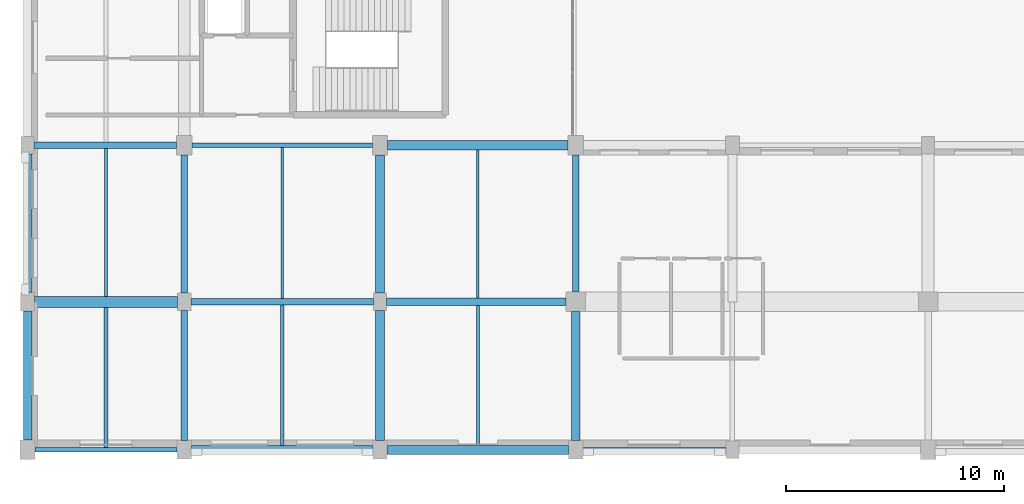
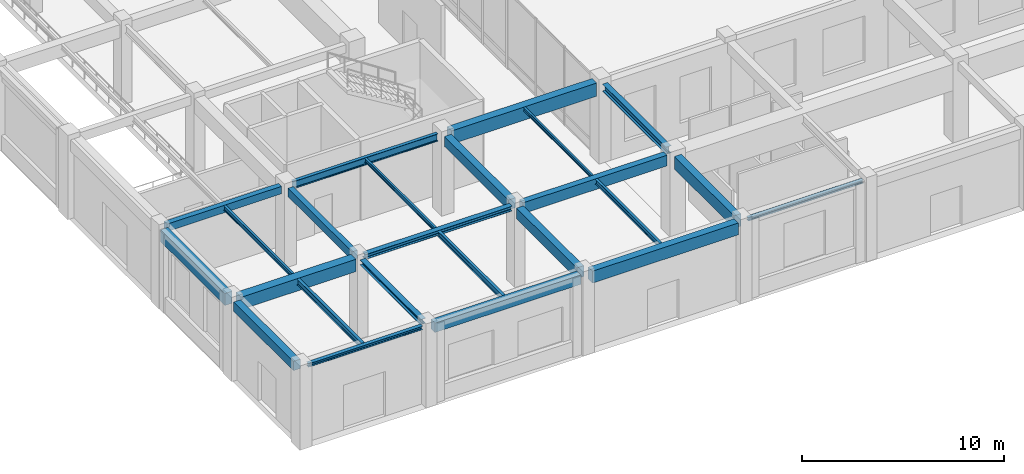
# One storey, part 7 of 64: 24 beams.
"""IFC4 building model written with IfcOpenShell, lengths in metres."""

from ifc_helpers import new_model, si_unit, direction, frame, origin, origin_2d, place, context, subcontext, project, spatial, rectangle, i_section, extrude, material, material_profile, profile_set, type_object, element, save


model = new_model("IFC4")

# Units and contexts
model_context = context("Model", 3, precision=1e-05, world=origin(), true_north=direction((0.0, 1.0)))
body_context = subcontext(model_context, "Body", "Model", "MODEL_VIEW")
ifc_project = project(units=[si_unit("LENGTHUNIT", "METRE"), si_unit("AREAUNIT", "SQUARE_METRE"), si_unit("VOLUMEUNIT", "CUBIC_METRE"), si_unit("PLANEANGLEUNIT", "RADIAN"), si_unit("MASSUNIT", "GRAM", prefix="KILO")], contexts=[model_context])

# Site, building, storey
site_placement = place(None, origin())
site = spatial("IfcSite", under=ifc_project, at=site_placement, CompositionType="ELEMENT")
building_placement = place(site_placement, origin())
building = spatial("IfcBuilding", under=site, at=building_placement, Name="Clarverna Civic Hall", CompositionType="ELEMENT")
storey_placement = place(building_placement, origin())
storey = spatial("IfcBuildingStorey", under=building, at=storey_placement, Name="L00", CompositionType="ELEMENT", Elevation=0.0)

# Beams
ifc_material_1 = material(Name="Steel S355", Category="steel")
ifc_material_profile_1 = material_profile(ifc_material_1, i_section(OverallWidth=0.219970703125, OverallDepth=0.2099609375, WebThickness=0.007080078125, FlangeThickness=0.010986328125, FilletRadius=0.01806640625, at=origin_2d()), Name="HEA 220")
ifc_profile_set_1 = profile_set([ifc_material_profile_1], Name="Steel S355")
beam_type_1 = type_object("IfcBeamType", Name="B-LN1", PredefinedType="LINTEL", material=ifc_profile_set_1)
beam_1_placement = place(storey_placement, frame((0.35009765625, 0.0, 4.675048828125), z_axis=(1.0, 0.0, 0.0), x_axis=(0.0, 1.0, 0.0)))
element("IfcBeam", 1, at=beam_1_placement, inside=storey, type_object=beam_type_1, Name="B-LN1-001", PredefinedType="LINTEL", context=body_context, shape_type="SweptSolid", body=[
    extrude(i_section(OverallWidth=0.219970703125, OverallDepth=0.2099609375, WebThickness=0.007080078125, FlangeThickness=0.010986328125, FilletRadius=0.01806640625, at=origin_2d()), origin(), (0.0, 0.0, 1.0), 6.52490234375),
])
ifc_material_profile_2 = material_profile(ifc_material_1, i_section(OverallWidth=0.199951171875, OverallDepth=0.18994140625, WebThickness=0.006591796875, FlangeThickness=0.010009765625, FilletRadius=0.01806640625, at=origin_2d()), Name="HEA 200")
ifc_profile_set_2 = profile_set([ifc_material_profile_2], Name="Steel S355")
beam_type_2 = type_object("IfcBeamType", Name="B-LN2", PredefinedType="LINTEL", material=ifc_profile_set_2)
beam_2_placement = place(storey_placement, frame((25.52490234375, 0.0, 4.68505859375), z_axis=(1.0, 0.0, 0.0), x_axis=(0.0, 1.0, 0.0)))
element("IfcBeam", 2, at=beam_2_placement, inside=storey, type_object=beam_type_2, Name="B-LN2-001", PredefinedType="LINTEL", context=body_context, shape_type="SweptSolid", body=[
    extrude(i_section(OverallWidth=0.199951171875, OverallDepth=0.18994140625, WebThickness=0.006591796875, FlangeThickness=0.010009765625, FilletRadius=0.01806640625, at=origin_2d()), origin(), (0.0, 0.0, 1.0), 6.5751953125),
])
ifc_material_2 = material(Name="Concrete C35/45", Category="concrete")
ifc_material_profile_3 = material_profile(ifc_material_2, rectangle(XDim=0.300048828125, YDim=0.5, at=origin_2d()), Name="RC 300x500")
ifc_profile_set_3 = profile_set([ifc_material_profile_3], Name="Concrete C35/45")
beam_type_3 = type_object("IfcBeamType", Name="B-RC12", PredefinedType="BEAM", material=ifc_profile_set_3)
beam_3_placement = place(storey_placement, frame((7.199951171875, 7.199951171875, 4.530029296875), z_axis=(0.0, 1.0, 0.0), x_axis=(-1.0, 0.0, 0.0)))
element("IfcBeam", 3, at=beam_3_placement, inside=storey, type_object=beam_type_3, Name="B-RC12-024", PredefinedType="BEAM", context=body_context, shape_type="SweptSolid", body=[
    extrude(rectangle(XDim=0.300048828125, YDim=0.5, at=origin_2d()), origin(), (0.0, 0.0, 1.0), 6.35009765625),
])
ifc_material_profile_4 = material_profile(ifc_material_2, rectangle(XDim=0.5, YDim=0.75, at=origin_2d()), Name="RC 500x750")
ifc_profile_set_4 = profile_set([ifc_material_profile_4], Name="Concrete C35/45")
beam_type_4 = type_object("IfcBeamType", Name="B-RC15", PredefinedType="BEAM", material=ifc_profile_set_4)
beam_4_placement = place(storey_placement, frame((0.324951171875, 6.800048828125, 4.405029296875), z_axis=(1.0, 0.0, 0.0), x_axis=(0.0, 1.0, 0.0)))
element("IfcBeam", 4, at=beam_4_placement, inside=storey, type_object=beam_type_4, Name="B-RC15-017", PredefinedType="BEAM", context=body_context, shape_type="SweptSolid", body=[
    extrude(rectangle(XDim=0.5, YDim=0.75, at=origin_2d()), origin(), (0.0, 0.0, 1.0), 6.574951171875),
])
ifc_material_profile_5 = material_profile(ifc_material_2, rectangle(XDim=0.39990234375, YDim=0.75, at=origin_2d()), Name="RC 400x750")
ifc_profile_set_5 = profile_set([ifc_material_profile_5], Name="Concrete C35/45")
beam_type_5 = type_object("IfcBeamType", Name="B-RC16", PredefinedType="BEAM", material=ifc_profile_set_5)
beam_5_placement = place(storey_placement, frame((25.199951171875, 0.425048828125, 4.405029296875), z_axis=(0.0, 1.0, 0.0), x_axis=(-1.0, 0.0, 0.0)))
element("IfcBeam", 5, at=beam_5_placement, inside=storey, type_object=beam_type_5, Name="B-RC16-018", PredefinedType="BEAM", context=body_context, shape_type="SweptSolid", body=[
    extrude(rectangle(XDim=0.39990234375, YDim=0.75, at=origin_2d()), origin(), (0.0, 0.0, 1.0), 5.925048828125),
])
ifc_material_profile_6 = material_profile(ifc_material_2, rectangle(XDim=0.35009765625, YDim=0.64990234375, at=origin_2d()), Name="RC 350x650")
ifc_profile_set_6 = profile_set([ifc_material_profile_6], Name="Concrete C35/45")
beam_type_6 = type_object("IfcBeamType", Name="B-RC17", PredefinedType="BEAM", material=ifc_profile_set_6)
beam_6_placement = place(storey_placement, frame((16.5, 6.800048828125, 4.455078125), z_axis=(1.0, 0.0, 0.0), x_axis=(0.0, 1.0, 0.0)))
element("IfcBeam", 6, at=beam_6_placement, inside=storey, type_object=beam_type_6, Name="B-RC17-017", PredefinedType="BEAM", context=body_context, shape_type="SweptSolid", body=[
    extrude(rectangle(XDim=0.35009765625, YDim=0.64990234375, at=origin_2d()), origin(), (0.0, 0.0, 1.0), 8.25),
])
ifc_material_profile_7 = material_profile(ifc_material_2, rectangle(XDim=0.300048828125, YDim=0.449951171875, at=origin_2d()), Name="RC 300x450")
ifc_profile_set_7 = profile_set([ifc_material_profile_7], Name="Concrete C35/45")
beam_type_7 = type_object("IfcBeamType", Name="B-RC18", PredefinedType="BEAM", material=ifc_profile_set_7)
beam_7_placement = place(storey_placement, frame((0.300048828125, 14.0, 4.554931640625), z_axis=(1.0, 0.0, 0.0), x_axis=(0.0, 1.0, 0.0)))
element("IfcBeam", 7, at=beam_7_placement, inside=storey, type_object=beam_type_7, Name="B-RC18-013", PredefinedType="BEAM", context=body_context, shape_type="SweptSolid", body=[
    extrude(rectangle(XDim=0.300048828125, YDim=0.449951171875, at=origin_2d()), origin(), (0.0, 0.0, 1.0), 6.550048828125),
])
ifc_material_profile_8 = material_profile(ifc_material_2, rectangle(XDim=0.449951171875, YDim=0.800048828125, at=origin_2d()), Name="RC 450x800")
ifc_profile_set_8 = profile_set([ifc_material_profile_8], Name="Concrete C35/45")
beam_type_8 = type_object("IfcBeamType", Name="B-RC2", PredefinedType="BEAM", material=ifc_profile_set_8)
beam_8_placement = place(storey_placement, frame((16.550048828125, 14.0, 4.3798828125), z_axis=(1.0, 0.0, 0.0), x_axis=(0.0, 1.0, 0.0)))
element("IfcBeam", 8, at=beam_8_placement, inside=storey, type_object=beam_type_8, Name="B-RC2-013", PredefinedType="BEAM", context=body_context, shape_type="SweptSolid", body=[
    extrude(rectangle(XDim=0.449951171875, YDim=0.800048828125, at=origin_2d()), origin(), (0.0, 0.0, 1.0), 8.300048828125),
])
ifc_material_profile_9 = material_profile(ifc_material_2, rectangle(XDim=0.39990234375, YDim=0.64990234375, at=origin_2d()), Name="RC 400x650")
ifc_profile_set_9 = profile_set([ifc_material_profile_9], Name="Concrete C35/45")
beam_type_9 = type_object("IfcBeamType", Name="B-RC6", PredefinedType="BEAM", material=ifc_profile_set_9)
beam_9_placement = place(storey_placement, frame((16.199951171875, 0.425048828125, 4.455078125), z_axis=(0.0, 1.0, 0.0), x_axis=(-1.0, 0.0, 0.0)))
element("IfcBeam", 9, at=beam_9_placement, inside=storey, type_object=beam_type_9, Name="B-RC6-020", PredefinedType="BEAM", context=body_context, shape_type="SweptSolid", body=[
    extrude(rectangle(XDim=0.39990234375, YDim=0.64990234375, at=origin_2d()), origin(), (0.0, 0.0, 1.0), 5.974853515625),
])
ifc_material_profile_10 = material_profile(ifc_material_2, rectangle(XDim=0.39990234375, YDim=0.60009765625, at=origin_2d()), Name="RC 400x600")
ifc_profile_set_10 = profile_set([ifc_material_profile_10], Name="Concrete C35/45")
beam_type_10 = type_object("IfcBeamType", Name="B-RC7", PredefinedType="BEAM", material=ifc_profile_set_10)
beam_10_placement = place(storey_placement, frame((16.199951171875, 7.199951171875, 4.47998046875), z_axis=(0.0, 1.0, 0.0), x_axis=(-1.0, 0.0, 0.0)))
element("IfcBeam", 10, at=beam_10_placement, inside=storey, type_object=beam_type_10, Name="B-RC7-017", PredefinedType="BEAM", context=body_context, shape_type="SweptSolid", body=[
    extrude(rectangle(XDim=0.39990234375, YDim=0.60009765625, at=origin_2d()), origin(), (0.0, 0.0, 1.0), 6.35009765625),
])
ifc_material_profile_11 = material_profile(ifc_material_2, rectangle(XDim=0.419921875, YDim=0.719970703125, at=origin_2d()), Name="RC 420x720")
ifc_profile_set_11 = profile_set([ifc_material_profile_11], Name="Concrete C35/45")
beam_type_11 = type_object("IfcBeamType", Name="B-SP1", PredefinedType="SPANDREL", material=ifc_profile_set_11)
beam_11_placement = place(storey_placement, frame((16.52490234375, 0.0, 4.419921875), z_axis=(1.0, 0.0, 0.0), x_axis=(0.0, 1.0, 0.0)))
element("IfcBeam", 11, at=beam_11_placement, inside=storey, type_object=beam_type_11, Name="B-SP1-034", PredefinedType="SPANDREL", context=body_context, shape_type="SweptSolid", body=[
    extrude(rectangle(XDim=0.419921875, YDim=0.719970703125, at=origin_2d()), origin(), (0.0, 0.0, 1.0), 8.35009765625),
])
beam_12_placement = place(storey_placement, frame((0.0, 7.22509765625, 4.419921875), z_axis=(0.0, 1.0, 0.0), x_axis=(-1.0, 0.0, 0.0)))
element("IfcBeam", 12, at=beam_12_placement, inside=storey, type_object=beam_type_11, Name="B-SP1-043", PredefinedType="SPANDREL", context=body_context, shape_type="SweptSolid", body=[
    extrude(rectangle(XDim=0.419921875, YDim=0.719970703125, at=origin_2d()), origin(), (0.0, 0.0, 1.0), 6.375),
])
ifc_material_profile_12 = material_profile(ifc_material_2, rectangle(XDim=0.39990234375, YDim=0.56005859375, at=origin_2d()), Name="RC 400x560")
ifc_profile_set_12 = profile_set([ifc_material_profile_12], Name="Concrete C35/45")
beam_type_12 = type_object("IfcBeamType", Name="B-SP4", PredefinedType="SPANDREL", material=ifc_profile_set_12)
beam_13_placement = place(storey_placement, frame((7.52490234375, 0.0, 4.5), z_axis=(1.0, 0.0, 0.0), x_axis=(0.0, 1.0, 0.0)))
element("IfcBeam", 13, at=beam_13_placement, inside=storey, type_object=beam_type_12, Name="B-SP4-033", PredefinedType="SPANDREL", context=body_context, shape_type="SweptSolid", body=[
    extrude(rectangle(XDim=0.39990234375, YDim=0.56005859375, at=origin_2d()), origin(), (0.0, 0.0, 1.0), 8.35009765625),
])
beam_14_placement = place(storey_placement, frame((0.0, 0.449951171875, 4.5), z_axis=(0.0, 1.0, 0.0), x_axis=(-1.0, 0.0, 0.0)))
element("IfcBeam", 14, at=beam_14_placement, inside=storey, type_object=beam_type_12, Name="B-SP4-040", PredefinedType="SPANDREL", context=body_context, shape_type="SweptSolid", body=[
    extrude(rectangle(XDim=0.39990234375, YDim=0.56005859375, at=origin_2d()), origin(), (0.0, 0.0, 1.0), 5.925048828125),
])
ifc_material_profile_13 = material_profile(ifc_material_1, i_section(OverallWidth=0.300048828125, OverallDepth=0.2900390625, WebThickness=0.008544921875, FlangeThickness=0.013916015625, FilletRadius=0.027099609375, at=origin_2d()), Name="HEA 300")
ifc_profile_set_13 = profile_set([ifc_material_profile_13], Name="Steel S355")
beam_type_13 = type_object("IfcBeamType", Name="B-ST10", PredefinedType="BEAM", material=ifc_profile_set_13)
beam_15_placement = place(storey_placement, frame((7.5, 6.800048828125, 4.635009765625), z_axis=(1.0, 0.0, 0.0), x_axis=(0.0, 1.0, 0.0)))
element("IfcBeam", 15, at=beam_15_placement, inside=storey, type_object=beam_type_13, Name="B-ST10-001", PredefinedType="BEAM", context=body_context, shape_type="SweptSolid", body=[
    extrude(i_section(OverallWidth=0.300048828125, OverallDepth=0.2900390625, WebThickness=0.008544921875, FlangeThickness=0.013916015625, FilletRadius=0.027099609375, at=origin_2d()), origin(), (0.0, 0.0, 1.0), 8.39990234375),
])
ifc_material_profile_14 = material_profile(ifc_material_1, i_section(OverallWidth=0.18994140625, OverallDepth=0.449951171875, WebThickness=0.009521484375, FlangeThickness=0.0146484375, FilletRadius=0.02099609375, at=origin_2d()), Name="IPE 450")
ifc_profile_set_14 = profile_set([ifc_material_profile_14], Name="Steel S355")
beam_type_14 = type_object("IfcBeamType", Name="B-ST13", PredefinedType="BEAM", material=ifc_profile_set_14)
beam_16_placement = place(storey_placement, frame((7.550048828125, 14.0, 4.554931640625), z_axis=(1.0, 0.0, 0.0), x_axis=(0.0, 1.0, 0.0)))
element("IfcBeam", 16, at=beam_16_placement, inside=storey, type_object=beam_type_14, Name="B-ST13-001", PredefinedType="BEAM", context=body_context, shape_type="SweptSolid", body=[
    extrude(i_section(OverallWidth=0.18994140625, OverallDepth=0.449951171875, WebThickness=0.009521484375, FlangeThickness=0.0146484375, FilletRadius=0.02099609375, at=origin_2d()), origin(), (0.0, 0.0, 1.0), 8.300048828125),
])
ifc_material_profile_15 = material_profile(ifc_material_1, i_section(OverallWidth=0.300048828125, OverallDepth=0.43994140625, WebThickness=0.011474609375, FlangeThickness=0.02099609375, FilletRadius=0.027099609375, at=origin_2d()), Name="HEA 450")
ifc_profile_set_15 = profile_set([ifc_material_profile_15], Name="Steel S355")
beam_type_15 = type_object("IfcBeamType", Name="B-ST5", PredefinedType="BEAM", material=ifc_profile_set_15)
beam_17_placement = place(storey_placement, frame((25.199951171875, 7.25, 4.56005859375), z_axis=(0.0, 1.0, 0.0), x_axis=(-1.0, 0.0, 0.0)))
element("IfcBeam", 17, at=beam_17_placement, inside=storey, type_object=beam_type_15, Name="B-ST5-025", PredefinedType="BEAM", context=body_context, shape_type="SweptSolid", body=[
    extrude(i_section(OverallWidth=0.300048828125, OverallDepth=0.43994140625, WebThickness=0.011474609375, FlangeThickness=0.02099609375, FilletRadius=0.027099609375, at=origin_2d()), origin(), (0.0, 0.0, 1.0), 6.300048828125),
])
ifc_material_profile_16 = material_profile(ifc_material_1, i_section(OverallWidth=0.300048828125, OverallDepth=0.31005859375, WebThickness=0.009033203125, FlangeThickness=0.015380859375, FilletRadius=0.027099609375, at=origin_2d()), Name="HEA 320")
ifc_profile_set_16 = profile_set([ifc_material_profile_16], Name="Steel S355")
beam_type_16 = type_object("IfcBeamType", Name="B-ST9", PredefinedType="BEAM", material=ifc_profile_set_16)
beam_18_placement = place(storey_placement, frame((7.199951171875, 0.425048828125, 4.625), z_axis=(0.0, 1.0, 0.0), x_axis=(-1.0, 0.0, 0.0)))
element("IfcBeam", 18, at=beam_18_placement, inside=storey, type_object=beam_type_16, Name="B-ST9-020", PredefinedType="BEAM", context=body_context, shape_type="SweptSolid", body=[
    extrude(i_section(OverallWidth=0.300048828125, OverallDepth=0.31005859375, WebThickness=0.009033203125, FlangeThickness=0.015380859375, FilletRadius=0.027099609375, at=origin_2d()), origin(), (0.0, 0.0, 1.0), 5.974853515625),
])
ifc_material_profile_17 = material_profile(ifc_material_1, i_section(OverallWidth=0.169921875, OverallDepth=0.360107421875, WebThickness=0.008056640625, FlangeThickness=0.0126953125, FilletRadius=0.01806640625, at=origin_2d()), Name="IPE 360")
ifc_profile_set_17 = profile_set([ifc_material_profile_17], Name="Steel S355")
beam_type_17 = type_object("IfcBeamType", Name="J-ST1", PredefinedType="JOIST", material=ifc_profile_set_17)
beam_19_placement = place(storey_placement, frame((3.60009765625, 0.110107421875, 4.60009765625), z_axis=(0.0, 1.0, 0.0), x_axis=(-1.0, 0.0, 0.0)))
element("IfcBeam", 19, at=beam_19_placement, inside=storey, type_object=beam_type_17, Name="J-ST1-023", PredefinedType="JOIST", context=body_context, shape_type="SweptSolid", body=[
    extrude(i_section(OverallWidth=0.169921875, OverallDepth=0.360107421875, WebThickness=0.008056640625, FlangeThickness=0.0126953125, FilletRadius=0.01806640625, at=origin_2d()), origin(), (0.0, 0.0, 1.0), 6.43994140625),
])
ifc_material_profile_18 = material_profile(ifc_material_1, i_section(OverallWidth=0.159912109375, OverallDepth=0.330078125, WebThickness=0.007568359375, FlangeThickness=0.011474609375, FilletRadius=0.01806640625, at=origin_2d()), Name="IPE 330")
ifc_profile_set_18 = profile_set([ifc_material_profile_18], Name="Steel S355")
beam_type_18 = type_object("IfcBeamType", Name="J-ST2", PredefinedType="JOIST", material=ifc_profile_set_18)
beam_20_placement = place(storey_placement, frame((11.699951171875, 0.199951171875, 4.614990234375), z_axis=(0.0, 1.0, 0.0), x_axis=(-1.0, 0.0, 0.0)))
element("IfcBeam", 20, at=beam_20_placement, inside=storey, type_object=beam_type_18, Name="J-ST2-023", PredefinedType="JOIST", context=body_context, shape_type="SweptSolid", body=[
    extrude(i_section(OverallWidth=0.159912109375, OverallDepth=0.330078125, WebThickness=0.007568359375, FlangeThickness=0.011474609375, FilletRadius=0.01806640625, at=origin_2d()), origin(), (0.0, 0.0, 1.0), 6.449951171875),
])
ifc_material_profile_19 = material_profile(ifc_material_1, i_section(OverallWidth=0.14990234375, OverallDepth=0.300048828125, WebThickness=0.007080078125, FlangeThickness=0.0107421875, FilletRadius=0.014892578125, at=origin_2d()), Name="IPE 300")
ifc_profile_set_19 = profile_set([ifc_material_profile_19], Name="Steel S355")
beam_type_19 = type_object("IfcBeamType", Name="J-ST3", PredefinedType="JOIST", material=ifc_profile_set_19)
beam_21_placement = place(storey_placement, frame((20.699951171875, 0.2099609375, 4.6298828125), z_axis=(0.0, 1.0, 0.0), x_axis=(-1.0, 0.0, 0.0)))
element("IfcBeam", 21, at=beam_21_placement, inside=storey, type_object=beam_type_19, Name="J-ST3-023", PredefinedType="JOIST", context=body_context, shape_type="SweptSolid", body=[
    extrude(i_section(OverallWidth=0.14990234375, OverallDepth=0.300048828125, WebThickness=0.007080078125, FlangeThickness=0.0107421875, FilletRadius=0.014892578125, at=origin_2d()), origin(), (0.0, 0.0, 1.0), 6.4150390625),
])
ifc_material_profile_20 = material_profile(ifc_material_1, i_section(OverallWidth=0.135009765625, OverallDepth=0.27001953125, WebThickness=0.006591796875, FlangeThickness=0.01025390625, FilletRadius=0.014892578125, at=origin_2d()), Name="IPE 270")
ifc_profile_set_20 = profile_set([ifc_material_profile_20], Name="Steel S355")
beam_type_20 = type_object("IfcBeamType", Name="J-ST4", PredefinedType="JOIST", material=ifc_profile_set_20)
beam_22_placement = place(storey_placement, frame((3.60009765625, 7.050048828125, 4.64501953125), z_axis=(0.0, 1.0, 0.0), x_axis=(-1.0, 0.0, 0.0)))
element("IfcBeam", 22, at=beam_22_placement, inside=storey, type_object=beam_type_20, Name="J-ST4-025", PredefinedType="JOIST", context=body_context, shape_type="SweptSolid", body=[
    extrude(i_section(OverallWidth=0.135009765625, OverallDepth=0.27001953125, WebThickness=0.006591796875, FlangeThickness=0.01025390625, FilletRadius=0.014892578125, at=origin_2d()), origin(), (0.0, 0.0, 1.0), 6.800048828125),
])
ifc_material_profile_21 = material_profile(ifc_material_1, i_section(OverallWidth=0.1201171875, OverallDepth=0.239990234375, WebThickness=0.006103515625, FlangeThickness=0.009765625, FilletRadius=0.014892578125, at=origin_2d()), Name="IPE 240")
ifc_profile_set_21 = profile_set([ifc_material_profile_21], Name="Steel S355")
beam_type_21 = type_object("IfcBeamType", Name="J-ST5", PredefinedType="JOIST", material=ifc_profile_set_21)
beam_23_placement = place(storey_placement, frame((11.699951171875, 6.949951171875, 4.659912109375), z_axis=(0.0, 1.0, 0.0), x_axis=(-1.0, 0.0, 0.0)))
element("IfcBeam", 23, at=beam_23_placement, inside=storey, type_object=beam_type_21, Name="J-ST5-023", PredefinedType="JOIST", context=body_context, shape_type="SweptSolid", body=[
    extrude(i_section(OverallWidth=0.1201171875, OverallDepth=0.239990234375, WebThickness=0.006103515625, FlangeThickness=0.009765625, FilletRadius=0.014892578125, at=origin_2d()), origin(), (0.0, 0.0, 1.0), 6.955078125),
])
ifc_material_profile_22 = material_profile(ifc_material_1, i_section(OverallWidth=0.110107421875, OverallDepth=0.219970703125, WebThickness=0.005859375, FlangeThickness=0.00927734375, FilletRadius=0.011962890625, at=origin_2d()), Name="IPE 220")
ifc_profile_set_22 = profile_set([ifc_material_profile_22], Name="Steel S355")
beam_type_22 = type_object("IfcBeamType", Name="J-ST6", PredefinedType="JOIST", material=ifc_profile_set_22)
beam_24_placement = place(storey_placement, frame((20.699951171875, 6.97509765625, 4.669921875), z_axis=(0.0, 1.0, 0.0), x_axis=(-1.0, 0.0, 0.0)))
element("IfcBeam", 24, at=beam_24_placement, inside=storey, type_object=beam_type_22, Name="J-ST6-024", PredefinedType="JOIST", context=body_context, shape_type="SweptSolid", body=[
    extrude(i_section(OverallWidth=0.110107421875, OverallDepth=0.219970703125, WebThickness=0.005859375, FlangeThickness=0.00927734375, FilletRadius=0.011962890625, at=origin_2d()), origin(), (0.0, 0.0, 1.0), 6.7998046875),
])

save(model, "model.ifc")
